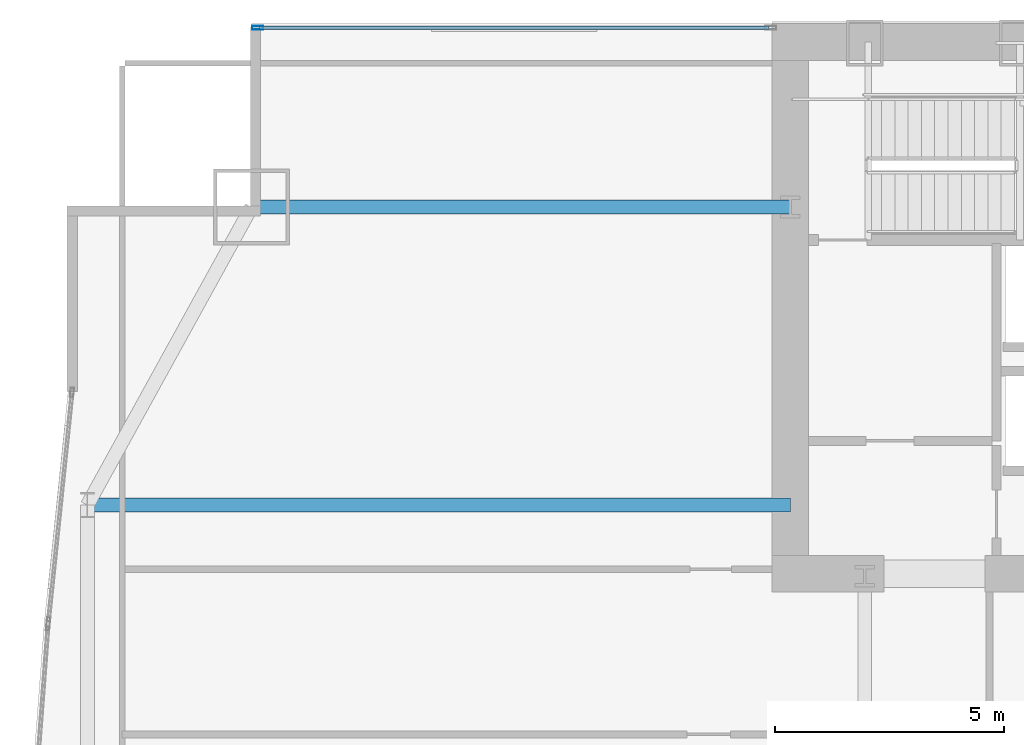
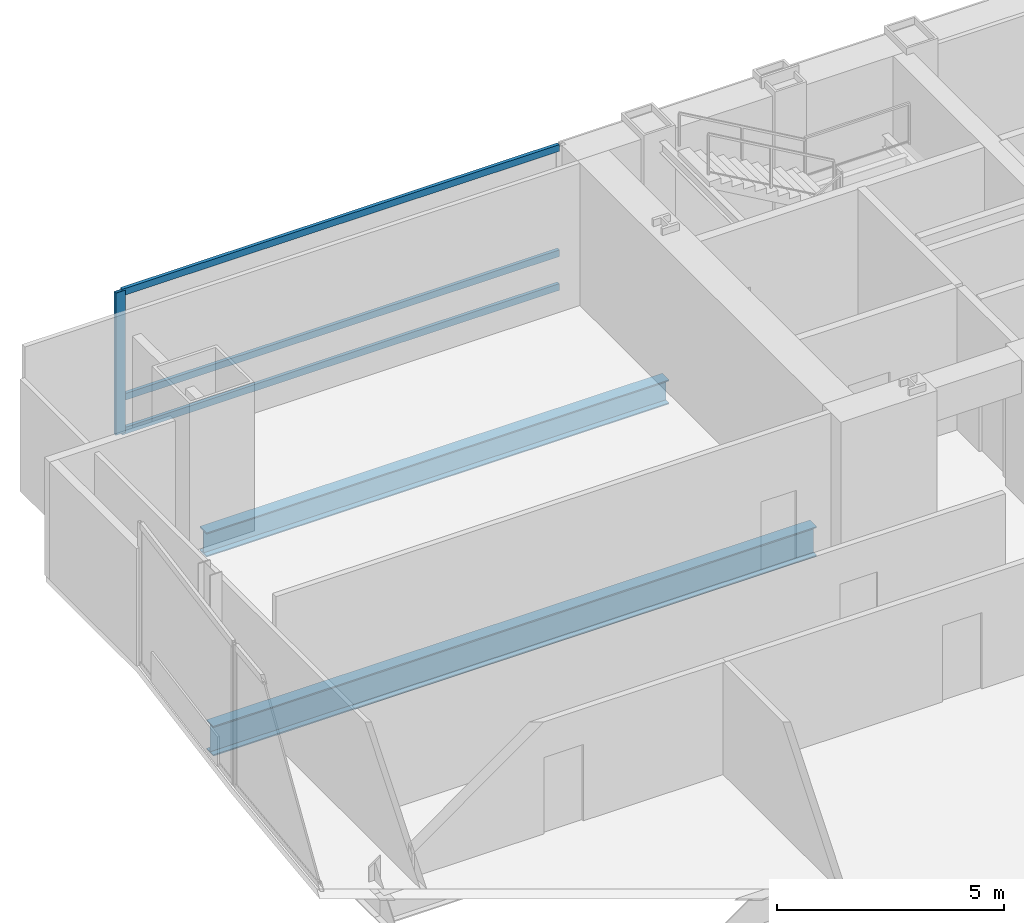
# One storey, part 17 of 33: 4 members, 2 beams, 1 element without a shape of its own.
"""IFC4 building model written with IfcOpenShell, lengths in metres."""

from ifc_helpers import new_model, si_unit, direction, frame, origin, origin_2d, place, context, subcontext, project, spatial, hollow_rectangle, i_section, extrude, material, material_profile, profile_set, type_object, element, aggregate, save


model = new_model("IFC4")

# Units and contexts
model_context = context("Model", 3, precision=1e-05, world=origin(), true_north=direction((0.0, 1.0)))
body_context = subcontext(model_context, "Body", "Model", "MODEL_VIEW")
ifc_project = project(units=[si_unit("LENGTHUNIT", "METRE"), si_unit("AREAUNIT", "SQUARE_METRE"), si_unit("VOLUMEUNIT", "CUBIC_METRE"), si_unit("PLANEANGLEUNIT", "RADIAN"), si_unit("MASSUNIT", "GRAM", prefix="KILO")], contexts=[model_context])

# Site, building, storey
site_placement = place(None, origin())
site = spatial("IfcSite", under=ifc_project, at=site_placement, CompositionType="ELEMENT")
building_placement = place(site_placement, origin())
building = spatial("IfcBuilding", under=site, at=building_placement, Name="Khoronbel Lancet Exchange", CompositionType="ELEMENT")
storey_placement = place(building_placement, frame((0.0, 0.0, 33.800048828125)))
storey = spatial("IfcBuildingStorey", under=building, at=storey_placement, Name="L07", CompositionType="ELEMENT", Elevation=33.800048828125)

# Beams
ifc_material_1 = material(Name="Steel S355", Category="steel")
ifc_material_profile_1 = material_profile(ifc_material_1, i_section(OverallWidth=0.300048828125, OverallDepth=0.800048828125, WebThickness=0.017578125, FlangeThickness=0.032958984375, at=origin_2d()), Name="HEB 800")
ifc_profile_set_1 = profile_set([ifc_material_profile_1], Name="Steel S355")
beam_type_1 = type_object("IfcBeamType", Name="BM-BG2", PredefinedType="BEAM", material=ifc_profile_set_1)
beam_1_placement = place(storey_placement, frame((1.27001953125, 43.199951171875, -0.580078125), z_axis=(1.0, 0.0, 0.0), x_axis=(0.0, 1.0, 0.0)))
element("IfcBeam", 1, at=beam_1_placement, inside=storey, type_object=beam_type_1, Name="Level L07 west lens tie girder LG3W", PredefinedType="BEAM", context=body_context, shape_type="SweptSolid", body=[
    extrude(i_section(OverallWidth=0.300048828125, OverallDepth=0.800048828125, WebThickness=0.017578125, FlangeThickness=0.032958984375, at=origin_2d()), origin(), (0.0, 0.0, 1.0), 15.330078125),
])
ifc_material_profile_2 = material_profile(ifc_material_1, i_section(OverallWidth=0.300048828125, OverallDepth=0.64990234375, WebThickness=0.01611328125, FlangeThickness=0.031005859375, at=origin_2d()), Name="HEB 650")
ifc_profile_set_2 = profile_set([ifc_material_profile_2], Name="Steel S355")
beam_type_2 = type_object("IfcBeamType", Name="BM-BSP1", PredefinedType="SPANDREL", material=ifc_profile_set_2)
beam_2_placement = place(storey_placement, frame((4.85009765625, 49.699951171875, -0.505126953125), z_axis=(1.0, 0.0, 0.0), x_axis=(0.0, 1.0, 0.0)))
element("IfcBeam", 2, at=beam_2_placement, inside=storey, type_object=beam_type_2, Name="Level L07 north flank tie spandrel SP22", PredefinedType="SPANDREL", context=body_context, shape_type="SweptSolid", body=[
    extrude(i_section(OverallWidth=0.300048828125, OverallDepth=0.64990234375, WebThickness=0.01611328125, FlangeThickness=0.031005859375, at=origin_2d()), origin(), (0.0, 0.0, 1.0), 11.75),
])

# Curtain wall, members
ifc_material_2 = material(Name="Low-E Solar Control Insulating Glass", Category="glass")
curtain_wall_type = type_object("IfcCurtainWallType", Name="CW-1", PredefinedType="NOTDEFINED", material=ifc_material_2)
curtain_wall_placement = place(storey_placement, origin())
curtain_wall = element("IfcCurtainWall", 3, at=curtain_wall_placement, inside=storey, type_object=curtain_wall_type, Name="Unitised curtain wall CW-L07-NWFLK", PredefinedType="NOTDEFINED")
ifc_material_3 = material(Name="Bronze-Anodised Aluminium 6063-T6", Category="aluminium")
ifc_material_profile_3 = material_profile(ifc_material_3, hollow_rectangle(XDim=0.0849609375, YDim=0.239990234375, WallThickness=0.006103515625, at=origin_2d()), Name="ALU MULLION 85x240")
ifc_profile_set_3 = profile_set([ifc_material_profile_3], Name="Bronze-Anodised Aluminium 6063-T6")
member_type_1 = type_object("IfcMemberType", Name="MEM-CWM1", PredefinedType="MULLION", material=ifc_profile_set_3)
member_1_placement = place(storey_placement, frame((4.982421875, 53.610107421875, 0.0), z_axis=(0.0, 0.0, 1.0), x_axis=(0.0, -1.0, 0.0)))
member_1 = element("IfcMember", 4, at=member_1_placement, type_object=member_type_1, Name="CW1 mullion 2", PredefinedType="MULLION", context=body_context, shape_type="SweptSolid", body=[
    extrude(hollow_rectangle(XDim=0.0849609375, YDim=0.239990234375, WallThickness=0.006103515625, at=origin_2d()), origin(), (0.0, 0.0, 1.0), 3.820068359375),
])
ifc_material_profile_4 = material_profile(ifc_material_3, hollow_rectangle(XDim=0.0849609375, YDim=0.179931640625, WallThickness=0.0048828125, at=origin_2d()), Name="ALU TRANSOM 85x180")
ifc_profile_set_4 = profile_set([ifc_material_profile_4], Name="Bronze-Anodised Aluminium 6063-T6")
member_type_2 = type_object("IfcMemberType", Name="MEM-CWT1", PredefinedType="USERDEFINED", material=ifc_profile_set_4)
member_2_placement = place(storey_placement, frame((16.135009765625, 53.610107421875, 0.04248046875), z_axis=(-1.0, 0.0, 0.0), x_axis=(0.0, -1.0, 0.0)))
member_2 = element("IfcMember", 5, at=member_2_placement, type_object=member_type_2, Name="CW1 transom 1.1", ObjectType="TRANSOM", PredefinedType="USERDEFINED", context=body_context, shape_type="SweptSolid", body=[
    extrude(hollow_rectangle(XDim=0.0849609375, YDim=0.179931640625, WallThickness=0.0048828125, at=origin_2d()), origin(), (0.0, 0.0, 1.0), 11.110107421875),
])
member_3_placement = place(storey_placement, frame((16.135009765625, 53.610107421875, 0.949951171875), z_axis=(-1.0, 0.0, 0.0), x_axis=(0.0, -1.0, 0.0)))
member_3 = element("IfcMember", 6, at=member_3_placement, type_object=member_type_2, Name="CW1 transom 1.2", ObjectType="TRANSOM", PredefinedType="USERDEFINED", context=body_context, shape_type="SweptSolid", body=[
    extrude(hollow_rectangle(XDim=0.0849609375, YDim=0.179931640625, WallThickness=0.0048828125, at=origin_2d()), origin(), (0.0, 0.0, 1.0), 11.110107421875),
])
member_4_placement = place(storey_placement, frame((16.135009765625, 53.610107421875, 3.77734375), z_axis=(-1.0, 0.0, 0.0), x_axis=(0.0, -1.0, 0.0)))
member_4 = element("IfcMember", 7, at=member_4_placement, type_object=member_type_2, Name="CW1 transom 1.3", ObjectType="TRANSOM", PredefinedType="USERDEFINED", context=body_context, shape_type="SweptSolid", body=[
    extrude(hollow_rectangle(XDim=0.0849609375, YDim=0.179931640625, WallThickness=0.0048828125, at=origin_2d()), origin(), (0.0, 0.0, 1.0), 11.110107421875),
])
aggregate(curtain_wall, [member_1, member_2, member_3, member_4])

save(model, "model.ifc")
